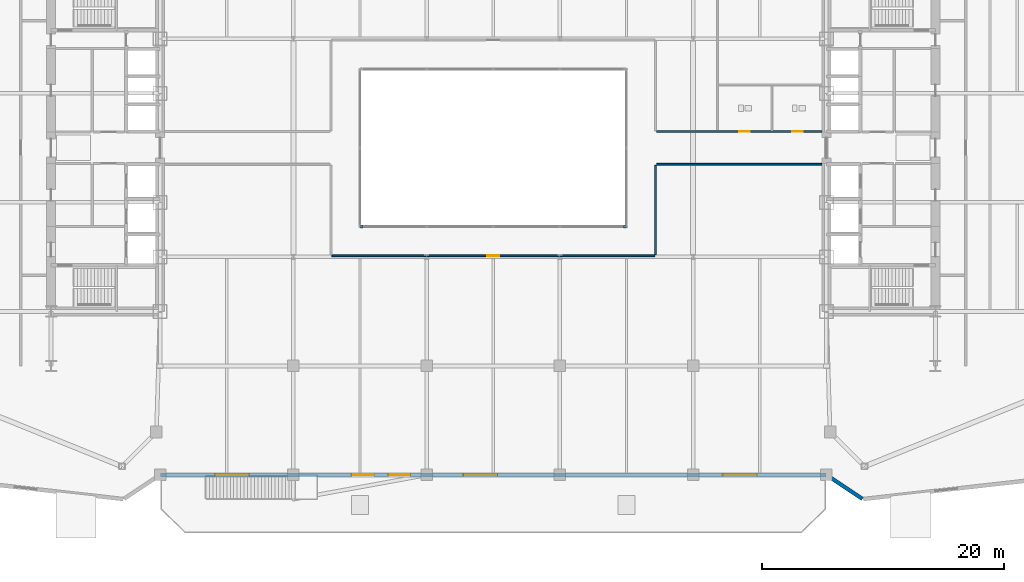
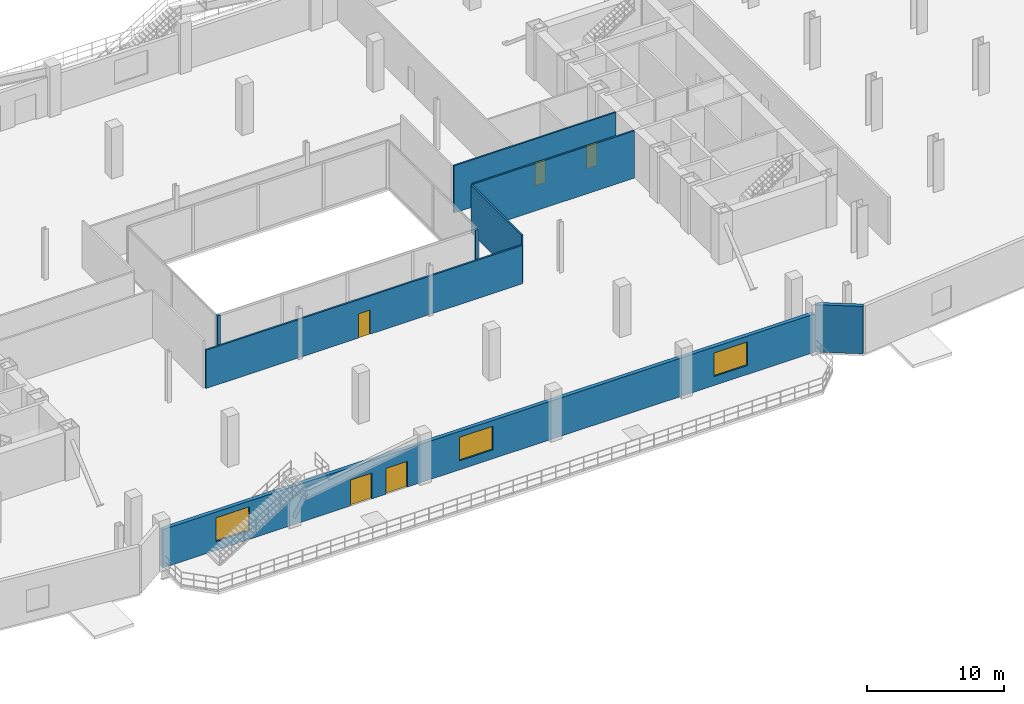
# One storey, part 17 of 25: 8 walls, 5 doors, 3 windows, 8 openings.
"""IFC4 building model written with IfcOpenShell, lengths in metres."""

from ifc_helpers import new_model, si_unit, direction, frame, frame_2d, origin, place, context, subcontext, project, spatial, rectangle, extrude, source, transform, mapped, material, layer, layer_set, type_object, type_shapes, element, fill, save


model = new_model("IFC4")

# Units and contexts
model_context = context("Model", 3, precision=1e-05, world=origin(), true_north=direction((0.0, 1.0)))
body_context = subcontext(model_context, "Body", "Model", "MODEL_VIEW")
ifc_project = project(units=[si_unit("LENGTHUNIT", "METRE"), si_unit("AREAUNIT", "SQUARE_METRE"), si_unit("VOLUMEUNIT", "CUBIC_METRE"), si_unit("PLANEANGLEUNIT", "RADIAN"), si_unit("MASSUNIT", "GRAM", prefix="KILO")], contexts=[model_context])

# Site, building, storey
site_placement = place(None, origin())
site = spatial("IfcSite", under=ifc_project, at=site_placement, CompositionType="ELEMENT")
building_placement = place(site_placement, origin())
building = spatial("IfcBuilding", under=site, at=building_placement, Name="Seokmaru Belvedere", CompositionType="ELEMENT")
storey_placement = place(building_placement, frame((0.0, 0.0, 5.39990234375)))
storey = spatial("IfcBuildingStorey", under=building, at=storey_placement, Name="L01", CompositionType="ELEMENT", Elevation=5.39990234375)

# Wall, opening, door
ifc_material_1 = material(Name="Fire-Rated Gypsum Shaftwall")
ifc_layer_1 = layer(ifc_material_1, 0.14990234375)
ifc_layer_set_1 = layer_set([ifc_layer_1], Name="Fire-Rated Gypsum Shaftwall")
wall_type_1 = type_object("IfcWallType", Name="Apartment Fire-Acoustic Room Partition 150", PredefinedType="PARTITIONING", material=ifc_layer_set_1)
wall_1_placement = place(storey_placement, frame((-13.31494140625, -8.89990234375, 0.0), z_axis=(0.0, 0.0, 1.0), x_axis=(1.0, 0.0, 0.0)))
wall_1 = element("IfcWall", 1, at=wall_1_placement, inside=storey, type_object=wall_type_1, Name="L01 Interior Partition 003", PredefinedType="PARTITIONING", context=body_context, shape_type="SweptSolid", body=[
    extrude(rectangle(XDim=26.6298828125, YDim=0.14990234375, at=frame_2d((13.31494140625, 0.0))), origin(), (0.0, 0.0, 1.0), 3.420166015625),
])
opening_1_placement = place(wall_1_placement, frame((12.840087890625, 0.0, 0.0)))
opening_1 = element("IfcOpeningElement", 2, at=opening_1_placement, cuts=wall_1, Name="Opening D05", PredefinedType="OPENING", context=body_context, shape_type="SweptSolid", body=[
    extrude(rectangle(XDim=0.949951171875, YDim=2.14990234375, at=frame_2d((0.47509765625, 1.074951171875))), frame((0.0, 0.0849609375, 0.0), z_axis=(0.0, -1.0, 0.0), x_axis=(1.0, 0.0, 0.0)), (0.0, 0.0, 1.0), 0.169921875),
])
ifc_material_2 = material(Name="Engineered White Oak Timber", Category="wood")
door_type_1 = type_object("IfcDoorType", Name="Apartment Interior Fire-Rated Oak Door 950x2150", OperationType="NOTDEFINED", PredefinedType="DOOR", material=ifc_material_2)
shared_shape_1 = source(origin(), body_context, "Body", "SweptSolid", [
    extrude(rectangle(XDim=0.949951171875, YDim=2.14990234375, at=frame_2d((0.47509765625, 1.074951171875))), frame((0.0, 0.02490234375, 0.0), z_axis=(0.0, -1.0, 0.0), x_axis=(1.0, 0.0, 0.0)), (0.0, 0.0, 1.0), 0.050048828125),
])
type_shapes(door_type_1, [shared_shape_1])
door_1_placement = place(opening_1_placement, origin())
door_1 = element("IfcDoor", 3, at=door_1_placement, inside=storey, type_object=door_type_1, Name="L01 Interior Door 004", OperationType="SINGLE_SWING_RIGHT", OverallHeight=2.14990234375, OverallWidth=0.949951171875, PredefinedType="DOOR", context=body_context, shape_type="MappedRepresentation", body=[
    mapped(shared_shape_1, transform((0.0, 0.0, 0.0), scale=1.0)),
])
fill(opening_1, door_1)

# Walls
wall_2_placement = place(storey_placement, frame((13.485107421875, -1.35009765625, 0.0), z_axis=(0.0, 0.0, 1.0), x_axis=(1.0, 0.0, 0.0)))
element("IfcWall", 4, at=wall_2_placement, inside=storey, type_object=wall_type_1, Name="L01 Interior Partition 005", PredefinedType="PARTITIONING", context=body_context, shape_type="SweptSolid", body=[
    extrude(rectangle(XDim=13.635009765625, YDim=0.14990234375, at=frame_2d((6.8173828125, 0.0))), origin(), (0.0, 0.0, 1.0), 4.22021484375),
])
wall_3_placement = place(storey_placement, frame((13.39990234375, -8.81494140625, 0.0), z_axis=(0.0, 0.0, 1.0), x_axis=(0.0, 1.0, 0.0)))
element("IfcWall", 5, at=wall_3_placement, inside=storey, type_object=wall_type_1, Name="L01 Interior Partition 015", PredefinedType="PARTITIONING", context=body_context, shape_type="SweptSolid", body=[
    extrude(rectangle(XDim=7.3798828125, YDim=0.14990234375, at=frame_2d((3.68994140625, 0.0))), origin(), (0.0, 0.0, 1.0), 4.22021484375),
])
ifc_material_3 = material(Name="Anodised Bronze Aluminium", Category="aluminium")
ifc_layer_2 = layer(ifc_material_3, 0.2099609375)
ifc_layer_set_2 = layer_set([ifc_layer_2], Name="Anodised Bronze Aluminium")
wall_type_2 = type_object("IfcWallType", Name="Bridge Column Spandrel Closure Pier 210", PredefinedType="SOLIDWALL", material=ifc_layer_set_2)
for number, where, z_axis, x_axis, name in (
    (6, (-11.0, -6.5, 0.0), (0.0, 0.0, 1.0), (1.0, 0.0, 0.0), "L01 Atrium Corner Closure Pier 1"),
    (7, (11.0, -6.5, 0.0), (0.0, 0.0, 1.0), (-1.0, 0.0, 0.0), "L01 Atrium Corner Closure Pier 2"),
):
    element("IfcWall", number, at=place(storey_placement, frame(where, z_axis=z_axis, x_axis=x_axis)), inside=storey, type_object=wall_type_2, Name=name, PredefinedType="SOLIDWALL", context=body_context, shape_type="SweptSolid", body=[
        extrude(rectangle(XDim=0.25, YDim=0.2099609375, at=frame_2d((0.125, 0.0))), origin(), (0.0, 0.0, 1.0), 4.22021484375),
    ])

# Wall, openings, doors
ifc_layer_3 = layer(ifc_material_1, 0.1298828125)
ifc_layer_set_3 = layer_set([ifc_layer_3], Name="Fire-Rated Gypsum Shaftwall")
wall_type_3 = type_object("IfcWallType", Name="Moisture-Resistant Fire-Rated Bathroom Partition 130", PredefinedType="PARTITIONING", material=ifc_layer_set_3)
wall_4_placement = place(storey_placement, frame((13.485107421875, 1.35009765625, 0.0), z_axis=(0.0, 0.0, 1.0), x_axis=(1.0, 0.0, 0.0)))
wall_4 = element("IfcWall", 8, at=wall_4_placement, inside=storey, type_object=wall_type_3, Name="L01 Interior Partition 007", PredefinedType="PARTITIONING", context=body_context, shape_type="SweptSolid", body=[
    extrude(rectangle(XDim=13.635009765625, YDim=0.1298828125, at=frame_2d((6.8173828125, 0.0))), origin(), (0.0, 0.0, 1.0), 4.22021484375),
])
opening_2_placement = place(wall_4_placement, frame((6.824951171875, 0.0, 0.0)))
opening_2 = element("IfcOpeningElement", 9, at=opening_2_placement, cuts=wall_4, Name="Opening D06", PredefinedType="OPENING", context=body_context, shape_type="SweptSolid", body=[
    extrude(rectangle(XDim=0.8798828125, YDim=2.10009765625, at=frame_2d((0.43994140625, 1.050048828125))), frame((0.0, 0.074951171875, 0.0), z_axis=(0.0, -1.0, 0.0), x_axis=(1.0, 0.0, 0.0)), (0.0, 0.0, 1.0), 0.14990234375),
])
opening_3_placement = place(wall_4_placement, frame((11.175048828125, 0.0, 0.0)))
opening_3 = element("IfcOpeningElement", 10, at=opening_3_placement, cuts=wall_4, Name="Opening D06", PredefinedType="OPENING", context=body_context, shape_type="SweptSolid", body=[
    extrude(rectangle(XDim=0.8798828125, YDim=2.10009765625, at=frame_2d((0.43994140625, 1.050048828125))), frame((0.0, 0.074951171875, 0.0), z_axis=(0.0, -1.0, 0.0), x_axis=(1.0, 0.0, 0.0)), (0.0, 0.0, 1.0), 0.14990234375),
])
door_type_2 = type_object("IfcDoorType", Name="Bathroom and Restroom Fire-Rated Door 880x2100", OperationType="NOTDEFINED", PredefinedType="DOOR", material=ifc_material_2)
shared_shape_2 = source(origin(), body_context, "Body", "SweptSolid", [
    extrude(rectangle(XDim=0.8798828125, YDim=2.10009765625, at=frame_2d((0.43994140625, 1.050048828125))), frame((0.0, 0.02490234375, 0.0), z_axis=(0.0, -1.0, 0.0), x_axis=(1.0, 0.0, 0.0)), (0.0, 0.0, 1.0), 0.050048828125),
])
type_shapes(door_type_2, [shared_shape_2])
door_2_placement = place(opening_2_placement, origin())
door_2 = element("IfcDoor", 11, at=door_2_placement, inside=storey, type_object=door_type_2, Name="L01 Interior Door 005", OperationType="SINGLE_SWING_LEFT", OverallHeight=2.10009765625, OverallWidth=0.8798828125, PredefinedType="DOOR", context=body_context, shape_type="MappedRepresentation", body=[
    mapped(shared_shape_2, transform((0.0, 0.0, 0.0), scale=1.0)),
])
fill(opening_2, door_2)
door_3_placement = place(opening_3_placement, origin())
door_3 = element("IfcDoor", 12, at=door_3_placement, inside=storey, type_object=door_type_2, Name="L01 Interior Door 006", OperationType="SINGLE_SWING_RIGHT", OverallHeight=2.10009765625, OverallWidth=0.8798828125, PredefinedType="DOOR", context=body_context, shape_type="MappedRepresentation", body=[
    mapped(shared_shape_2, transform((0.0, 0.0, 0.0), scale=1.0)),
])
fill(opening_3, door_3)

# Wall, openings, doors, windows
ifc_material_4 = material(Name="Concrete C40 (40 MPa)", Category="concrete")
ifc_layer_4 = layer(ifc_material_4, 0.320068359375)
ifc_layer_set_4 = layer_set([ifc_layer_4], Name="Concrete C40 (40 MPa)")
wall_type_4 = type_object("IfcWallType", Name="Podium Terrace Insulated Wall 320", PredefinedType="SOLIDWALL", material=ifc_layer_set_4)
wall_5_placement = place(storey_placement, frame((-27.4599609375, -27.0, 0.0), z_axis=(0.0, 0.0, 1.0), x_axis=(1.0, 0.0, 0.0)))
wall_5 = element("IfcWall", 13, at=wall_5_placement, inside=storey, type_object=wall_type_4, Name="L01 Exterior Podium Wall 03", PredefinedType="SOLIDWALL", context=body_context, shape_type="SweptSolid", body=[
    extrude(rectangle(XDim=54.919921875, YDim=0.320068359375, at=frame_2d((27.4599609375, 0.0))), origin(), (0.0, 0.0, 1.0), 3.420166015625),
])
opening_4_placement = place(wall_5_placement, frame((15.800048828125, 0.0, 0.0)))
opening_4 = element("IfcOpeningElement", 14, at=opening_4_placement, cuts=wall_5, Name="Opening DX3", PredefinedType="OPENING", context=body_context, shape_type="SweptSolid", body=[
    extrude(rectangle(XDim=1.800048828125, YDim=2.300048828125, at=frame_2d((0.89990234375, 1.14990234375))), frame((0.0, 0.169921875, 0.0), z_axis=(0.0, -1.0, 0.0), x_axis=(1.0, 0.0, 0.0)), (0.0, 0.0, 1.0), 0.340087890625),
])
opening_5_placement = place(wall_5_placement, frame((18.800048828125, 0.0, 0.0)))
opening_5 = element("IfcOpeningElement", 15, at=opening_5_placement, cuts=wall_5, Name="Opening DX3", PredefinedType="OPENING", context=body_context, shape_type="SweptSolid", body=[
    extrude(rectangle(XDim=1.800048828125, YDim=2.300048828125, at=frame_2d((0.89990234375, 1.14990234375))), frame((0.0, 0.169921875, 0.0), z_axis=(0.0, -1.0, 0.0), x_axis=(1.0, 0.0, 0.0)), (0.0, 0.0, 1.0), 0.340087890625),
])
opening_6_placement = place(wall_5_placement, frame((4.5, 0.0, 0.800048828125)))
opening_6 = element("IfcOpeningElement", 16, at=opening_6_placement, cuts=wall_5, Name="Opening WN5", PredefinedType="OPENING", context=body_context, shape_type="SweptSolid", body=[
    extrude(rectangle(XDim=2.800048828125, YDim=2.10009765625, at=frame_2d((1.39990234375, 1.050048828125))), frame((0.0, 0.169921875, 0.0), z_axis=(0.0, -1.0, 0.0), x_axis=(1.0, 0.0, 0.0)), (0.0, 0.0, 1.0), 0.340087890625),
])
opening_7_placement = place(wall_5_placement, frame((25.0, 0.0, 0.800048828125)))
opening_7 = element("IfcOpeningElement", 17, at=opening_7_placement, cuts=wall_5, Name="Opening WN5", PredefinedType="OPENING", context=body_context, shape_type="SweptSolid", body=[
    extrude(rectangle(XDim=2.800048828125, YDim=2.10009765625, at=frame_2d((1.39990234375, 1.050048828125))), frame((0.0, 0.169921875, 0.0), z_axis=(0.0, -1.0, 0.0), x_axis=(1.0, 0.0, 0.0)), (0.0, 0.0, 1.0), 0.340087890625),
])
opening_8_placement = place(wall_5_placement, frame((46.419921875, 0.0, 0.800048828125)))
opening_8 = element("IfcOpeningElement", 18, at=opening_8_placement, cuts=wall_5, Name="Opening WN5", PredefinedType="OPENING", context=body_context, shape_type="SweptSolid", body=[
    extrude(rectangle(XDim=2.800048828125, YDim=2.10009765625, at=frame_2d((1.39990234375, 1.050048828125))), frame((0.0, 0.169921875, 0.0), z_axis=(0.0, -1.0, 0.0), x_axis=(1.0, 0.0, 0.0)), (0.0, 0.0, 1.0), 0.340087890625),
])
door_type_3 = type_object("IfcDoorType", Name="Cascading Terrace Glazed Double Door 1800x2300", OperationType="DOUBLE_SWING_LEFT", PredefinedType="DOOR", material=ifc_material_3)
shared_shape_3 = source(origin(), body_context, "Body", "SweptSolid", [
    extrude(rectangle(XDim=1.800048828125, YDim=2.300048828125, at=frame_2d((0.89990234375, 1.14990234375))), frame((0.0, 0.02490234375, 0.0), z_axis=(0.0, -1.0, 0.0), x_axis=(1.0, 0.0, 0.0)), (0.0, 0.0, 1.0), 0.050048828125),
])
type_shapes(door_type_3, [shared_shape_3])
door_4_placement = place(opening_4_placement, frame((1.800048828125, 0.0, 0.0), z_axis=(0.0, 0.0, 1.0), x_axis=(-1.0, 0.0, 0.0)))
door_4 = element("IfcDoor", 19, at=door_4_placement, inside=storey, type_object=door_type_3, Name="L01 South Garden Terrace Access Door 1", OperationType="DOUBLE_SWING_LEFT", OverallHeight=2.300048828125, OverallWidth=1.800048828125, PredefinedType="DOOR", context=body_context, shape_type="MappedRepresentation", body=[
    mapped(shared_shape_3, transform((0.0, 0.0, 0.0), scale=1.0)),
])
fill(opening_4, door_4)
door_5_placement = place(opening_5_placement, frame((1.800048828125, 0.0, 0.0), z_axis=(0.0, 0.0, 1.0), x_axis=(-1.0, 0.0, 0.0)))
door_5 = element("IfcDoor", 20, at=door_5_placement, inside=storey, type_object=door_type_3, Name="L01 South Garden Terrace Access Door 2", OperationType="DOUBLE_SWING_LEFT", OverallHeight=2.300048828125, OverallWidth=1.800048828125, PredefinedType="DOOR", context=body_context, shape_type="MappedRepresentation", body=[
    mapped(shared_shape_3, transform((0.0, 0.0, 0.0), scale=1.0)),
])
fill(opening_5, door_5)
ifc_material_5 = material(Name="Bronze Triple Insulating Glass", Category="glass")
window_type = type_object("IfcWindowType", Name="Terrace Salon Panorama Window 2800x2100", PartitioningType="SINGLE_PANEL", PredefinedType="WINDOW", material=ifc_material_5)
shared_shape_4 = source(origin(), body_context, "Body", "SweptSolid", [
    extrude(rectangle(XDim=2.800048828125, YDim=2.10009765625, at=frame_2d((1.39990234375, 1.050048828125))), frame((0.0, 0.030029296875, 0.0), z_axis=(0.0, -1.0, 0.0), x_axis=(1.0, 0.0, 0.0)), (0.0, 0.0, 1.0), 0.06005859375),
])
type_shapes(window_type, [shared_shape_4])
window_1_placement = place(opening_6_placement, origin())
window_1 = element("IfcWindow", 21, at=window_1_placement, inside=storey, type_object=window_type, Name="L01 South Terrace Window 1", OverallHeight=2.10009765625, OverallWidth=2.800048828125, PartitioningType="SINGLE_PANEL", PredefinedType="WINDOW", context=body_context, shape_type="MappedRepresentation", body=[
    mapped(shared_shape_4, transform((0.0, 0.0, 0.0), scale=1.0)),
])
fill(opening_6, window_1)
window_2_placement = place(opening_7_placement, origin())
window_2 = element("IfcWindow", 22, at=window_2_placement, inside=storey, type_object=window_type, Name="L01 South Terrace Window 2", OverallHeight=2.10009765625, OverallWidth=2.800048828125, PartitioningType="SINGLE_PANEL", PredefinedType="WINDOW", context=body_context, shape_type="MappedRepresentation", body=[
    mapped(shared_shape_4, transform((0.0, 0.0, 0.0), scale=1.0)),
])
fill(opening_7, window_2)
window_3_placement = place(opening_8_placement, origin())
window_3 = element("IfcWindow", 23, at=window_3_placement, inside=storey, type_object=window_type, Name="L01 South Terrace Window 3", OverallHeight=2.10009765625, OverallWidth=2.800048828125, PartitioningType="SINGLE_PANEL", PredefinedType="WINDOW", context=body_context, shape_type="MappedRepresentation", body=[
    mapped(shared_shape_4, transform((0.0, 0.0, 0.0), scale=1.0)),
])
fill(opening_8, window_3)

# Wall
wall_6_placement = place(storey_placement, frame((27.533203125, -27.022216796875, 0.0), z_axis=(0.0, 0.0, 1.0), x_axis=(0.832071600484, -0.554668235676, 0.0)))
element("IfcWall", 24, at=wall_6_placement, inside=storey, type_object=wall_type_4, Name="L01 Exterior Podium Wall 04", PredefinedType="SOLIDWALL", context=body_context, shape_type="SweptSolid", body=[
    extrude(rectangle(XDim=3.525634765625, YDim=0.320068359375, at=frame_2d((1.7626953125, 0.0))), origin(), (0.0, 0.0, 1.0), 4.22021484375),
])

save(model, "model.ifc")
